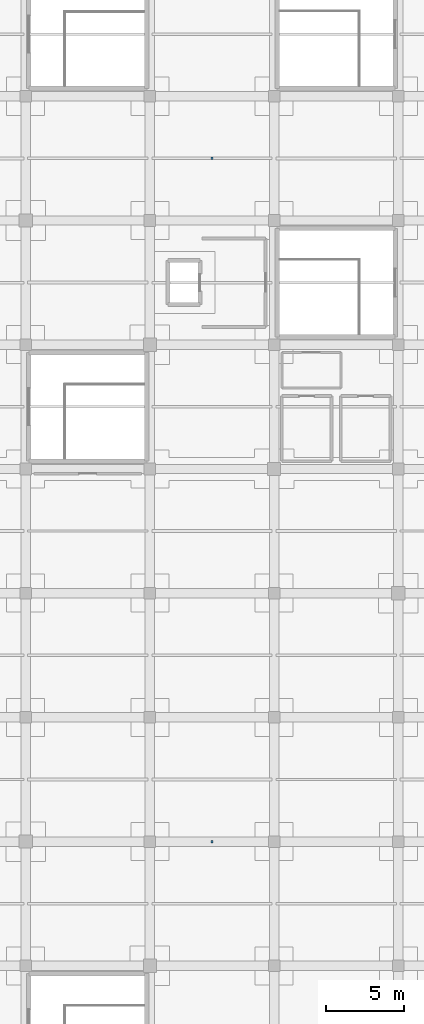
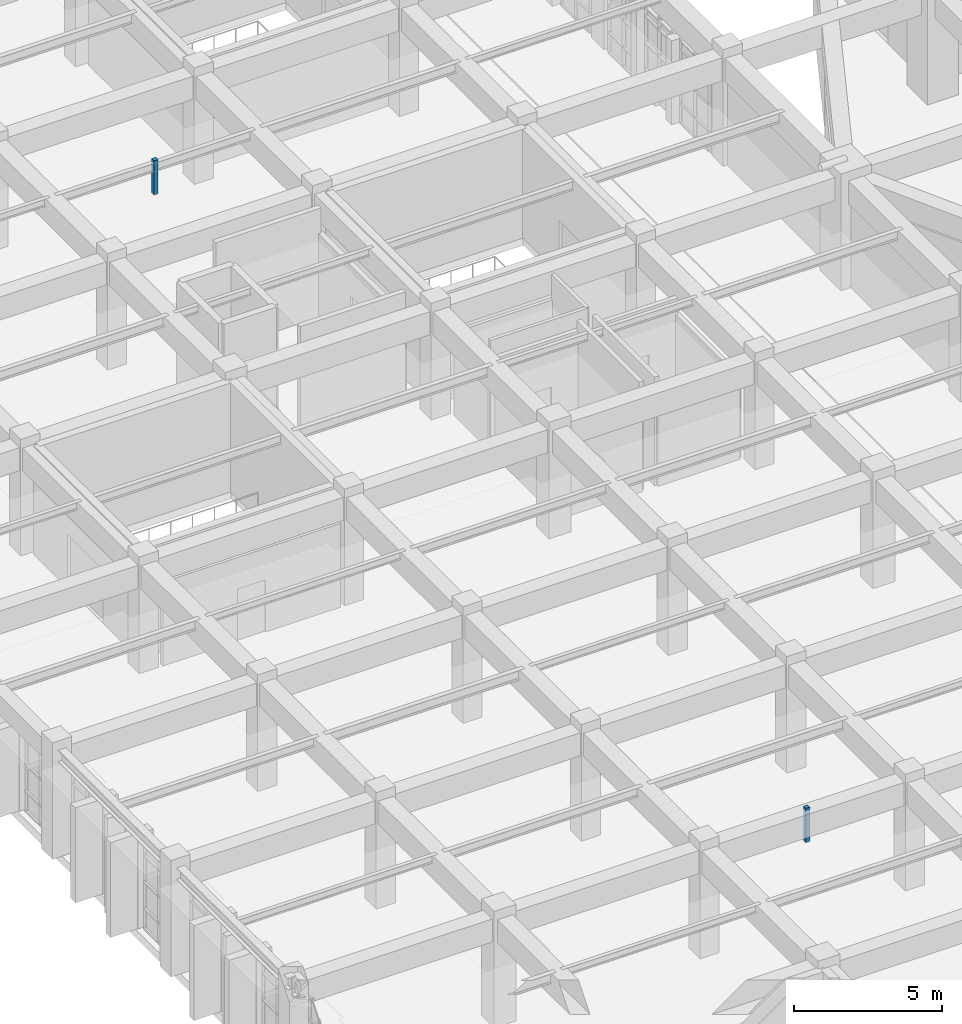
# One storey, part 143 of 155: 2 discrete accessories.
"""IFC4 building model written with IfcOpenShell, lengths in metres."""

from ifc_helpers import new_model, si_unit, direction, frame, origin, origin_2d, place, context, subcontext, project, spatial, rectangle, extrude, material, type_object, element, save


model = new_model("IFC4")

# Units and contexts
model_context = context("Model", 3, precision=1e-05, world=origin(), true_north=direction((0.0, 1.0)))
body_context = subcontext(model_context, "Body", "Model", "MODEL_VIEW")
ifc_project = project(units=[si_unit("LENGTHUNIT", "METRE"), si_unit("AREAUNIT", "SQUARE_METRE"), si_unit("VOLUMEUNIT", "CUBIC_METRE"), si_unit("PLANEANGLEUNIT", "RADIAN"), si_unit("MASSUNIT", "GRAM", prefix="KILO")], contexts=[model_context])

# Site, building, storey
site_placement = place(None, origin())
site = spatial("IfcSite", under=ifc_project, at=site_placement, CompositionType="ELEMENT")
building_placement = place(site_placement, origin())
building = spatial("IfcBuilding", under=site, at=building_placement, Name="Tazarka Park Arena", CompositionType="ELEMENT")
storey_placement = place(building_placement, frame((0.0, 0.0, 5.39990234375)))
storey = spatial("IfcBuildingStorey", under=building, at=storey_placement, Name="L01", CompositionType="ELEMENT", Elevation=5.39990234375)

# Discrete accessories
ifc_material = material(Name="Steel S355", Category="steel")
discrete_accessory_type = type_object("IfcDiscreteAccessoryType", Name="BRK-01", PredefinedType="BRACKET", material=ifc_material)
for number, where, z_axis, x_axis, name in (
    (1, (20.0, 32.0, 3.10009765625), (0.0, 0.0, 1.0), (1.0, 0.0, 0.0), "CHG-L01-003"),
    (2, (20.0, 76.0, 3.10009765625), (0.0, 0.0, 1.0), (1.0, 0.0, 0.0), "CHG-L01-004"),
):
    element("IfcDiscreteAccessory", number, at=place(storey_placement, frame(where, z_axis=z_axis, x_axis=x_axis)), inside=storey, type_object=discrete_accessory_type, Name=name, PredefinedType="BRACKET", context=body_context, shape_type="SweptSolid", body=[
        extrude(rectangle(XDim=0.159912109375, YDim=0.159912109375, at=origin_2d()), origin(), (0.0, 0.0, 1.0), 1.419921875),
    ])

save(model, "model.ifc")
